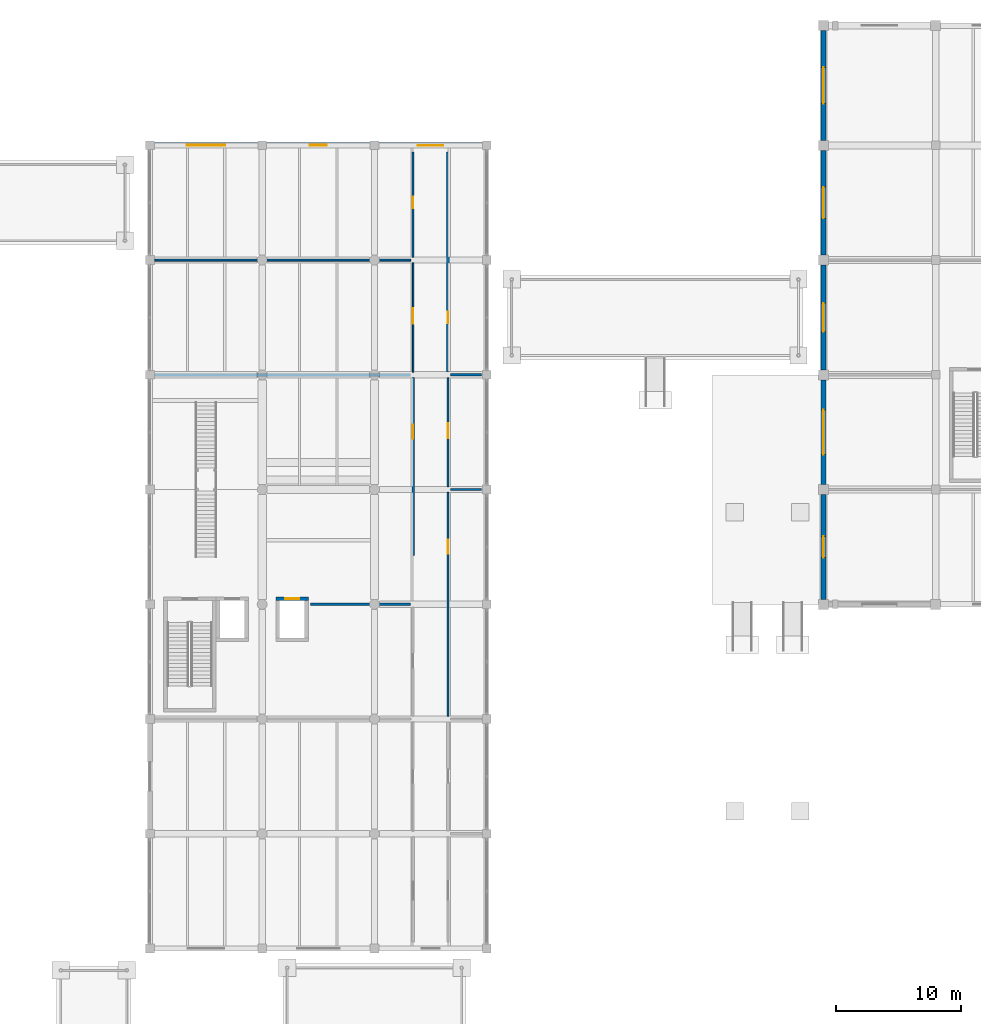
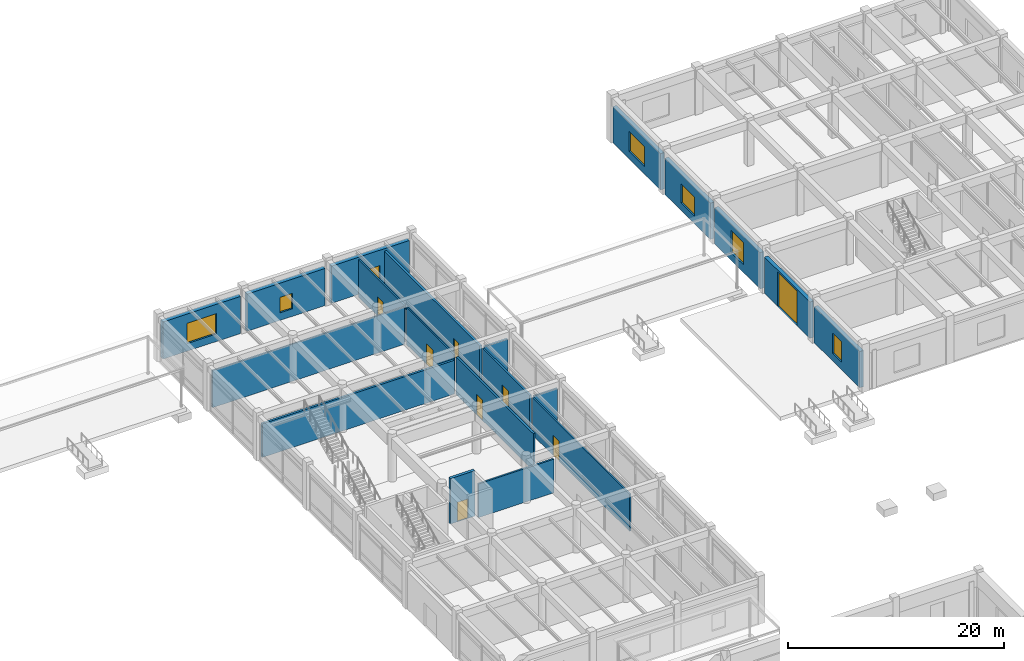
# One storey, part 60 of 76: 20 walls, 9 doors, 6 windows, 15 openings.
"""IFC4 building model written with IfcOpenShell, lengths in metres."""

from ifc_helpers import new_model, si_unit, direction, frame, frame_2d, origin, place, context, subcontext, project, spatial, rectangle, extrude, material, layer, layer_set, type_object, element, fill, save


model = new_model("IFC4")

# Units and contexts
model_context = context("Model", 3, precision=1e-05, world=origin(), true_north=direction((0.0, 1.0)))
body_context = subcontext(model_context, "Body", "Model", "MODEL_VIEW")
ifc_project = project(units=[si_unit("LENGTHUNIT", "METRE"), si_unit("AREAUNIT", "SQUARE_METRE"), si_unit("VOLUMEUNIT", "CUBIC_METRE"), si_unit("PLANEANGLEUNIT", "RADIAN"), si_unit("MASSUNIT", "GRAM", prefix="KILO")], contexts=[model_context])

# Site, building, storey
site_placement = place(None, origin())
site = spatial("IfcSite", under=ifc_project, at=site_placement, CompositionType="ELEMENT")
building_placement = place(site_placement, origin())
building = spatial("IfcBuilding", under=site, at=building_placement, Name="Bozkorgan Art Gallery", CompositionType="ELEMENT")
storey_placement = place(building_placement, origin())
storey = spatial("IfcBuildingStorey", under=building, at=storey_placement, Name="L00", CompositionType="ELEMENT", Elevation=0.0)

# Wall, opening, door
ifc_material_1 = material(Name="Concrete C40/50", Category="concrete")
ifc_layer_1 = layer(ifc_material_1, 0.300048828125, Name="Concrete C40/50")
ifc_layer_set_1 = layer_set([ifc_layer_1], Name="Concrete C40/50")
wall_type_1 = type_object("IfcWallType", Name="IWALL-CW-44", PredefinedType="SHEAR", material=ifc_layer_set_1)
wall_1_placement = place(storey_placement, frame((84.10009765625, 66.449951171875, 0.0), z_axis=(0.0, 0.0, 1.0), x_axis=(1.0, 0.0, 0.0)))
wall_1 = element("IfcWall", 1, at=wall_1_placement, inside=storey, type_object=wall_type_1, Name="PL3 L00 shaft front shear wall", PredefinedType="SHEAR", context=body_context, shape_type="SweptSolid", body=[
    extrude(rectangle(XDim=2.599853515625, YDim=0.300048828125, at=frame_2d((1.2998046875, 0.0))), origin(), (0.0, 0.0, 1.0), 5.1201171875),
])
opening_1_placement = place(wall_1_placement, frame((0.75, 0.0, 0.0)))
opening_1 = element("IfcOpeningElement", 2, at=opening_1_placement, cuts=wall_1, Name="Opening LD-75", PredefinedType="OPENING", context=body_context, shape_type="SweptSolid", body=[
    extrude(rectangle(XDim=1.10009765625, YDim=2.199951171875, at=frame_2d((0.550048828125, 1.10009765625))), frame((0.0, 0.16015625, 0.0), z_axis=(0.0, -1.0, 0.0), x_axis=(1.0, 0.0, 0.0)), (0.0, 0.0, 1.0), 0.320068359375),
])
ifc_material_2 = material(Name="Steel S355J2", Category="steel")
door_type_1 = type_object("IfcDoorType", Name="IDOOR-LD-75", OperationType="NOTDEFINED", PredefinedType="DOOR", material=ifc_material_2)
door_1_placement = place(opening_1_placement, origin())
door_1 = element("IfcDoor", 3, at=door_1_placement, inside=storey, type_object=door_type_1, Name="LD-PL3-L00 Lift Landing Door", OperationType="SLIDING_TO_RIGHT", OverallHeight=2.199951171875, OverallWidth=1.10009765625, PredefinedType="DOOR", context=body_context, shape_type="SweptSolid", body=[
    extrude(rectangle(XDim=1.10009765625, YDim=2.199951171875, at=frame_2d((0.550048828125, 1.10009765625))), frame((0.0, 0.02490234375, 0.0), z_axis=(0.0, -1.0, 0.0), x_axis=(1.0, 0.0, 0.0)), (0.0, 0.0, 1.0), 0.050048828125),
])
fill(opening_1, door_1)

ifc_material_3 = material(Name="Acoustic Gypsum & Mineral Wool Partition")
ifc_layer_2 = layer(ifc_material_3, 0.22998046875, Name="Acoustic Gypsum & Mineral Wool Partition")
ifc_layer_set_2 = layer_set([ifc_layer_2], Name="Acoustic Gypsum & Mineral Wool Partition")
wall_type_2 = type_object("IfcWallType", Name="IWALL-PR-08", PredefinedType="PARTITIONING", material=ifc_layer_set_2)
wall_2_placement = place(storey_placement, frame((97.89990234375, 84.6201171875, 0.0), z_axis=(0.0, 0.0, 1.0), x_axis=(0.0, 1.0, 0.0)))
wall_2 = element("IfcWall", 4, at=wall_2_placement, inside=storey, type_object=wall_type_2, Name="V4 L00 acoustic partition wall 209", PredefinedType="PARTITIONING", context=body_context, shape_type="SweptSolid", body=[
    extrude(rectangle(XDim=17.639892578125, YDim=0.22998046875, at=frame_2d((8.81982421875, 0.0))), origin(), (0.0, 0.0, 1.0), 4.195068359375),
])
opening_2_placement = place(wall_2_placement, frame((3.908935546875, 0.0, 0.0)))
opening_2 = element("IfcOpeningElement", 5, at=opening_2_placement, cuts=wall_2, Name="Opening FD-12", PredefinedType="OPENING", context=body_context, shape_type="SweptSolid", body=[
    extrude(rectangle(XDim=0.919921875, YDim=2.1201171875, at=frame_2d((0.4599609375, 1.06005859375))), frame((0.0, 0.125, 0.0), z_axis=(0.0, -1.0, 0.0), x_axis=(1.0, 0.0, 0.0)), (0.0, 0.0, 1.0), 0.25),
])
ifc_material_4 = material(Name="Oiled European Oak Joinery")
door_type_2 = type_object("IfcDoorType", Name="IDOOR-FD-12", OperationType="NOTDEFINED", PredefinedType="DOOR", material=ifc_material_4)
door_2_placement = place(opening_2_placement, origin())
door_2 = element("IfcDoor", 6, at=door_2_placement, inside=storey, type_object=door_type_2, Name="Security Operations Room Door", OperationType="SINGLE_SWING_LEFT", OverallHeight=2.1201171875, OverallWidth=0.919921875, PredefinedType="DOOR", context=body_context, shape_type="SweptSolid", body=[
    extrude(rectangle(XDim=0.919921875, YDim=2.1201171875, at=frame_2d((0.4599609375, 1.06005859375))), frame((0.0, 0.02490234375, 0.0), z_axis=(0.0, -1.0, 0.0), x_axis=(1.0, 0.0, 0.0)), (0.0, 0.0, 1.0), 0.050048828125),
])
fill(opening_2, door_2)

ifc_layer_3 = layer(ifc_material_3, 0.2099609375, Name="Acoustic Gypsum & Mineral Wool Partition")
ifc_layer_set_3 = layer_set([ifc_layer_3], Name="Acoustic Gypsum & Mineral Wool Partition")
wall_type_3 = type_object("IfcWallType", Name="IWALL-PR-38", PredefinedType="PARTITIONING", material=ifc_layer_set_3)
wall_3_placement = place(storey_placement, frame((95.10009765625, 69.89990234375, 0.0), z_axis=(0.0, 0.0, 1.0), x_axis=(0.0, 1.0, 0.0)))
wall_3 = element("IfcWall", 7, at=wall_3_placement, inside=storey, type_object=wall_type_3, Name="V4 L00 acoustic partition wall 196", PredefinedType="PARTITIONING", context=body_context, shape_type="SweptSolid", body=[
    extrude(rectangle(XDim=14.280029296875, YDim=0.2099609375, at=frame_2d((7.14013671875, 0.0))), origin(), (0.0, 0.0, 1.0), 4.195068359375),
])
opening_3_placement = place(wall_3_placement, frame((10.51708984375, 0.0, 0.0), z_axis=(0.0, 0.0, 1.0), x_axis=(-1.0, 0.0, 0.0)))
opening_3 = element("IfcOpeningElement", 8, at=opening_3_placement, cuts=wall_3, Name="Opening FD-03", PredefinedType="OPENING", context=body_context, shape_type="SweptSolid", body=[
    extrude(rectangle(XDim=1.159912109375, YDim=2.280029296875, at=frame_2d((0.580078125, 1.14013671875))), frame((0.0, 0.114990234375, 0.0), z_axis=(0.0, -1.0, 0.0), x_axis=(1.0, 0.0, 0.0)), (0.0, 0.0, 1.0), 0.22998046875),
])
door_type_3 = type_object("IfcDoorType", Name="IDOOR-FD-03", OperationType="NOTDEFINED", PredefinedType="DOOR", material=ifc_material_4)
door_3_placement = place(opening_3_placement, origin())
door_3 = element("IfcDoor", 9, at=door_3_placement, inside=storey, type_object=door_type_3, Name="Membership Desk Salon Door", OperationType="SINGLE_SWING_RIGHT", OverallHeight=2.280029296875, OverallWidth=1.159912109375, PredefinedType="DOOR", context=body_context, shape_type="SweptSolid", body=[
    extrude(rectangle(XDim=1.159912109375, YDim=2.280029296875, at=frame_2d((0.580078125, 1.14013671875))), frame((0.0, 0.02490234375, 0.0), z_axis=(0.0, -1.0, 0.0), x_axis=(1.0, 0.0, 0.0)), (0.0, 0.0, 1.0), 0.050048828125),
])
fill(opening_3, door_3)

ifc_layer_4 = layer(ifc_material_3, 0.169921875, Name="Acoustic Gypsum & Mineral Wool Partition")
ifc_layer_set_4 = layer_set([ifc_layer_4], Name="Acoustic Gypsum & Mineral Wool Partition")
wall_type_4 = type_object("IfcWallType", Name="IWALL-PR-40", PredefinedType="PARTITIONING", material=ifc_layer_set_4)
wall_4_placement = place(storey_placement, frame((95.10009765625, 93.820068359375, 0.0), z_axis=(0.0, 0.0, 1.0), x_axis=(0.0, 1.0, 0.0)))
wall_4 = element("IfcWall", 10, at=wall_4_placement, inside=storey, type_object=wall_type_4, Name="V4 L00 acoustic partition wall 200", PredefinedType="PARTITIONING", context=body_context, shape_type="SweptSolid", body=[
    extrude(rectangle(XDim=8.43994140625, YDim=0.169921875, at=frame_2d((4.219970703125, 0.0))), origin(), (0.0, 0.0, 1.0), 4.195068359375),
])
opening_4_placement = place(wall_4_placement, frame((4.87109375, 0.0, 0.0), z_axis=(0.0, 0.0, 1.0), x_axis=(-1.0, 0.0, 0.0)))
opening_4 = element("IfcOpeningElement", 11, at=opening_4_placement, cuts=wall_4, Name="Opening FD-92", PredefinedType="OPENING", context=body_context, shape_type="SweptSolid", body=[
    extrude(rectangle(XDim=0.949951171875, YDim=2.14990234375, at=frame_2d((0.47509765625, 1.074951171875))), frame((0.0, 0.094970703125, 0.0), z_axis=(0.0, -1.0, 0.0), x_axis=(1.0, 0.0, 0.0)), (0.0, 0.0, 1.0), 0.18994140625),
])
door_type_4 = type_object("IfcDoorType", Name="IDOOR-FD-92", OperationType="NOTDEFINED", PredefinedType="DOOR", material=ifc_material_4)
door_4_placement = place(opening_4_placement, origin())
door_4 = element("IfcDoor", 12, at=door_4_placement, inside=storey, type_object=door_type_4, Name="Collection Archive Room Door", OperationType="SINGLE_SWING_RIGHT", OverallHeight=2.14990234375, OverallWidth=0.949951171875, PredefinedType="DOOR", context=body_context, shape_type="SweptSolid", body=[
    extrude(rectangle(XDim=0.949951171875, YDim=2.14990234375, at=frame_2d((0.47509765625, 1.074951171875))), frame((0.0, 0.02490234375, 0.0), z_axis=(0.0, -1.0, 0.0), x_axis=(1.0, 0.0, 0.0)), (0.0, 0.0, 1.0), 0.050048828125),
])
fill(opening_4, door_4)

ifc_layer_5 = layer(ifc_material_3, 0.14990234375, Name="Acoustic Gypsum & Mineral Wool Partition")
ifc_layer_set_5 = layer_set([ifc_layer_5], Name="Acoustic Gypsum & Mineral Wool Partition")
wall_type_5 = type_object("IfcWallType", Name="IWALL-PR-55", PredefinedType="PARTITIONING", material=ifc_layer_set_5)
wall_5_placement = place(storey_placement, frame((97.89990234375, 57.02001953125, 0.0), z_axis=(0.0, 0.0, 1.0), x_axis=(0.0, 1.0, 0.0)))
wall_5 = element("IfcWall", 13, at=wall_5_placement, inside=storey, type_object=wall_type_5, Name="V4 L00 acoustic partition wall 205", PredefinedType="PARTITIONING", context=body_context, shape_type="SweptSolid", body=[
    extrude(rectangle(XDim=17.9599609375, YDim=0.14990234375, at=frame_2d((8.97998046875, 0.0))), origin(), (0.0, 0.0, 1.0), 4.195068359375),
])
opening_5_placement = place(wall_5_placement, frame((13.0244140625, 0.0, 0.0)))
opening_5 = element("IfcOpeningElement", 14, at=opening_5_placement, cuts=wall_5, Name="Opening FD-89", PredefinedType="OPENING", context=body_context, shape_type="SweptSolid", body=[
    extrude(rectangle(XDim=1.1201171875, YDim=2.260009765625, at=frame_2d((0.56005859375, 1.1298828125))), frame((0.0, 0.0849609375, 0.0), z_axis=(0.0, -1.0, 0.0), x_axis=(1.0, 0.0, 0.0)), (0.0, 0.0, 1.0), 0.169921875),
])
door_type_5 = type_object("IfcDoorType", Name="IDOOR-FD-89", OperationType="NOTDEFINED", PredefinedType="DOOR", material=ifc_material_4)
door_5_placement = place(opening_5_placement, origin())
door_5 = element("IfcDoor", 15, at=door_5_placement, inside=storey, type_object=door_type_5, Name="Public Sculpture Court Indoor Door", OperationType="SINGLE_SWING_LEFT", OverallHeight=2.260009765625, OverallWidth=1.1201171875, PredefinedType="DOOR", context=body_context, shape_type="SweptSolid", body=[
    extrude(rectangle(XDim=1.1201171875, YDim=2.260009765625, at=frame_2d((0.56005859375, 1.1298828125))), frame((0.0, 0.02490234375, 0.0), z_axis=(0.0, -1.0, 0.0), x_axis=(1.0, 0.0, 0.0)), (0.0, 0.0, 1.0), 0.050048828125),
])
fill(opening_5, door_5)

ifc_layer_6 = layer(ifc_material_3, 0.18994140625, Name="Acoustic Gypsum & Mineral Wool Partition")
ifc_layer_set_6 = layer_set([ifc_layer_6], Name="Acoustic Gypsum & Mineral Wool Partition")
wall_type_6 = type_object("IfcWallType", Name="IWALL-PR-66", PredefinedType="PARTITIONING", material=ifc_layer_set_6)
wall_6_placement = place(storey_placement, frame((97.89990234375, 75.419921875, 0.0), z_axis=(0.0, 0.0, 1.0), x_axis=(0.0, 1.0, 0.0)))
wall_6 = element("IfcWall", 16, at=wall_6_placement, inside=storey, type_object=wall_type_6, Name="V4 L00 acoustic partition wall 207", PredefinedType="PARTITIONING", context=body_context, shape_type="SweptSolid", body=[
    extrude(rectangle(XDim=8.760009765625, YDim=0.18994140625, at=frame_2d((4.3798828125, 0.0))), origin(), (0.0, 0.0, 1.0), 4.195068359375),
])
opening_6_placement = place(wall_6_placement, frame((3.8798828125, 0.0, 0.0)))
opening_6 = element("IfcOpeningElement", 17, at=opening_6_placement, cuts=wall_6, Name="Opening FD-05", PredefinedType="OPENING", context=body_context, shape_type="SweptSolid", body=[
    extrude(rectangle(XDim=1.199951171875, YDim=2.300048828125, at=frame_2d((0.60009765625, 1.14990234375))), frame((0.0, 0.10498046875, 0.0), z_axis=(0.0, -1.0, 0.0), x_axis=(1.0, 0.0, 0.0)), (0.0, 0.0, 1.0), 0.2099609375),
])
door_type_6 = type_object("IfcDoorType", Name="IDOOR-FD-05", OperationType="NOTDEFINED", PredefinedType="DOOR", material=ifc_material_4)
door_6_placement = place(opening_6_placement, origin())
door_6 = element("IfcDoor", 18, at=door_6_placement, inside=storey, type_object=door_type_6, Name="Membership Desk Salon Door", OperationType="SINGLE_SWING_RIGHT", OverallHeight=2.300048828125, OverallWidth=1.199951171875, PredefinedType="DOOR", context=body_context, shape_type="SweptSolid", body=[
    extrude(rectangle(XDim=1.199951171875, YDim=2.300048828125, at=frame_2d((0.60009765625, 1.14990234375))), frame((0.0, 0.02490234375, 0.0), z_axis=(0.0, -1.0, 0.0), x_axis=(1.0, 0.0, 0.0)), (0.0, 0.0, 1.0), 0.050048828125),
])
fill(opening_6, door_6)

ifc_layer_7 = layer(ifc_material_3, 0.1298828125, Name="Acoustic Gypsum & Mineral Wool Partition")
ifc_layer_set_7 = layer_set([ifc_layer_7], Name="Acoustic Gypsum & Mineral Wool Partition")
wall_type_7 = type_object("IfcWallType", Name="IWALL-PR-76", PredefinedType="PARTITIONING", material=ifc_layer_set_7)
wall_7_placement = place(storey_placement, frame((95.10009765625, 84.6201171875, 0.0), z_axis=(0.0, 0.0, 1.0), x_axis=(0.0, 1.0, 0.0)))
wall_7 = element("IfcWall", 19, at=wall_7_placement, inside=storey, type_object=wall_type_7, Name="V4 L00 acoustic partition wall 198", PredefinedType="PARTITIONING", context=body_context, shape_type="SweptSolid", body=[
    extrude(rectangle(XDim=8.759765625, YDim=0.1298828125, at=frame_2d((4.3798828125, 0.0))), origin(), (0.0, 0.0, 1.0), 4.195068359375),
])
opening_7_placement = place(wall_7_placement, frame((5.119873046875, 0.0, 0.0), z_axis=(0.0, 0.0, 1.0), x_axis=(-1.0, 0.0, 0.0)))
opening_7 = element("IfcOpeningElement", 20, at=opening_7_placement, cuts=wall_7, Name="Opening FD-40", PredefinedType="OPENING", context=body_context, shape_type="SweptSolid", body=[
    extrude(rectangle(XDim=1.239990234375, YDim=2.320068359375, at=frame_2d((0.6201171875, 1.16015625))), frame((0.0, 0.074951171875, 0.0), z_axis=(0.0, -1.0, 0.0), x_axis=(1.0, 0.0, 0.0)), (0.0, 0.0, 1.0), 0.14990234375),
])
door_type_7 = type_object("IfcDoorType", Name="IDOOR-FD-40", OperationType="NOTDEFINED", PredefinedType="DOOR", material=ifc_material_4)
door_7_placement = place(opening_7_placement, origin())
door_7 = element("IfcDoor", 21, at=door_7_placement, inside=storey, type_object=door_type_7, Name="Security Operations Room Door", OperationType="SINGLE_SWING_LEFT", OverallHeight=2.320068359375, OverallWidth=1.239990234375, PredefinedType="DOOR", context=body_context, shape_type="SweptSolid", body=[
    extrude(rectangle(XDim=1.239990234375, YDim=2.320068359375, at=frame_2d((0.6201171875, 1.16015625))), frame((0.0, 0.02490234375, 0.0), z_axis=(0.0, -1.0, 0.0), x_axis=(1.0, 0.0, 0.0)), (0.0, 0.0, 1.0), 0.050048828125),
])
fill(opening_7, door_7)

# Walls
ifc_layer_8 = layer(ifc_material_3, 0.169921875, Name="Acoustic Gypsum & Mineral Wool Partition")
ifc_layer_set_8 = layer_set([ifc_layer_8], Name="Acoustic Gypsum & Mineral Wool Partition")
wall_type_8 = type_object("IfcWallType", Name="IWALL-PW-02", PredefinedType="PARTITIONING", material=ifc_layer_set_8)
wall_8_placement = place(storey_placement, frame((98.10009765625, 75.199951171875, 0.0), z_axis=(0.0, 0.0, 1.0), x_axis=(1.0, 0.0, 0.0)))
element("IfcWall", 22, at=wall_8_placement, inside=storey, type_object=wall_type_8, Name="V4 L00 acoustic partition wall 206", PredefinedType="PARTITIONING", context=body_context, shape_type="SweptSolid", body=[
    extrude(rectangle(XDim=2.5, YDim=0.169921875, at=frame_2d((1.25, 0.0))), origin(), (0.0, 0.0, 1.0), 4.195068359375),
])
ifc_layer_9 = layer(ifc_material_3, 0.14990234375, Name="Acoustic Gypsum & Mineral Wool Partition")
ifc_layer_set_9 = layer_set([ifc_layer_9], Name="Acoustic Gypsum & Mineral Wool Partition")
wall_type_9 = type_object("IfcWallType", Name="IWALL-PW-17", PredefinedType="PARTITIONING", material=ifc_layer_set_9)
wall_9_placement = place(storey_placement, frame((74.39990234375, 93.60009765625, 0.0), z_axis=(0.0, 0.0, 1.0), x_axis=(1.0, 0.0, 0.0)))
element("IfcWall", 23, at=wall_9_placement, inside=storey, type_object=wall_type_9, Name="V4 L00 acoustic partition wall 199", PredefinedType="PARTITIONING", context=body_context, shape_type="SweptSolid", body=[
    extrude(rectangle(XDim=20.5, YDim=0.14990234375, at=frame_2d((10.25, 0.0))), origin(), (0.0, 0.0, 1.0), 4.195068359375),
])
ifc_layer_10 = layer(ifc_material_3, 0.18994140625, Name="Acoustic Gypsum & Mineral Wool Partition")
ifc_layer_set_10 = layer_set([ifc_layer_10], Name="Acoustic Gypsum & Mineral Wool Partition")
wall_type_10 = type_object("IfcWallType", Name="IWALL-PW-23", PredefinedType="PARTITIONING", material=ifc_layer_set_10)
wall_10_placement = place(storey_placement, frame((86.860107421875, 66.0, 0.0), z_axis=(0.0, 0.0, 1.0), x_axis=(1.0, 0.0, 0.0)))
element("IfcWall", 24, at=wall_10_placement, inside=storey, type_object=wall_type_10, Name="V4 L00 acoustic partition wall 195", PredefinedType="PARTITIONING", context=body_context, shape_type="SweptSolid", body=[
    extrude(rectangle(XDim=8.039794921875, YDim=0.18994140625, at=frame_2d((4.02001953125, 0.0))), origin(), (0.0, 0.0, 1.0), 3.794921875),
])
ifc_layer_11 = layer(ifc_material_3, 0.2099609375, Name="Acoustic Gypsum & Mineral Wool Partition")
ifc_layer_set_11 = layer_set([ifc_layer_11], Name="Acoustic Gypsum & Mineral Wool Partition")
wall_type_11 = type_object("IfcWallType", Name="IWALL-PW-72", PredefinedType="PARTITIONING", material=ifc_layer_set_11)
wall_11_placement = place(storey_placement, frame((98.10009765625, 84.39990234375, 0.0), z_axis=(0.0, 0.0, 1.0), x_axis=(1.0, 0.0, 0.0)))
element("IfcWall", 25, at=wall_11_placement, inside=storey, type_object=wall_type_11, Name="V4 L00 acoustic partition wall 208", PredefinedType="PARTITIONING", context=body_context, shape_type="SweptSolid", body=[
    extrude(rectangle(XDim=2.5, YDim=0.2099609375, at=frame_2d((1.25, 0.0))), origin(), (0.0, 0.0, 1.0), 4.195068359375),
])
ifc_layer_12 = layer(ifc_material_3, 0.22998046875, Name="Acoustic Gypsum & Mineral Wool Partition")
ifc_layer_set_12 = layer_set([ifc_layer_12], Name="Acoustic Gypsum & Mineral Wool Partition")
wall_type_12 = type_object("IfcWallType", Name="IWALL-PW-96", PredefinedType="PARTITIONING", material=ifc_layer_set_12)
wall_12_placement = place(storey_placement, frame((74.39990234375, 84.39990234375, 0.0), z_axis=(0.0, 0.0, 1.0), x_axis=(1.0, 0.0, 0.0)))
element("IfcWall", 26, at=wall_12_placement, inside=storey, type_object=wall_type_12, Name="V4 L00 acoustic partition wall 197", PredefinedType="PARTITIONING", context=body_context, shape_type="SweptSolid", body=[
    extrude(rectangle(XDim=20.5, YDim=0.22998046875, at=frame_2d((10.25, 0.0))), origin(), (0.0, 0.0, 1.0), 3.794921875),
])

# Wall, opening, door
ifc_material_5 = material(Name="Kordai Rose Granite Ashlar", Category="masonry")
ifc_layer_13 = layer(ifc_material_5, 0.419921875, Name="Kordai Rose Granite Ashlar")
ifc_layer_set_13 = layer_set([ifc_layer_13], Name="Kordai Rose Granite Ashlar")
wall_type_13 = type_object("IfcWallType", Name="WALL-EW-45", PredefinedType="STANDARD", material=ifc_layer_set_13)
wall_13_placement = place(storey_placement, frame((92.35009765625, 102.800048828125, 0.0), z_axis=(0.0, 0.0, 1.0), x_axis=(1.0, 0.0, 0.0)))
wall_13 = element("IfcWall", 27, at=wall_13_placement, inside=storey, type_object=wall_type_13, Name="V4 L00 entrance portal wall (ED15)", PredefinedType="STANDARD", context=body_context, shape_type="SweptSolid", body=[
    extrude(rectangle(XDim=8.2998046875, YDim=0.419921875, at=frame_2d((4.14990234375, 0.0))), origin(), (0.0, 0.0, 1.0), 4.195068359375),
])
opening_8_placement = place(wall_13_placement, frame((3.125, 0.0, 0.0)))
opening_8 = element("IfcOpeningElement", 28, at=opening_8_placement, cuts=wall_13, Name="Opening ED-19", PredefinedType="OPENING", context=body_context, shape_type="SweptSolid", body=[
    extrude(rectangle(XDim=2.050048828125, YDim=2.449951171875, at=frame_2d((1.02490234375, 1.22509765625))), frame((0.0, 0.219970703125, 0.0), z_axis=(0.0, -1.0, 0.0), x_axis=(1.0, 0.0, 0.0)), (0.0, 0.0, 1.0), 0.43994140625),
])
ifc_material_6 = material(Name="Anodised Bronze Aluminium", Category="aluminium")
door_type_8 = type_object("IfcDoorType", Name="DOOR-ED-19", OperationType="NOTDEFINED", PredefinedType="DOOR", material=ifc_material_6)
door_8_placement = place(opening_8_placement, origin())
door_8 = element("IfcDoor", 29, at=door_8_placement, inside=storey, type_object=door_type_8, Name="ED15 Final Exit Portal Door", OperationType="DOUBLE_DOOR_SINGLE_SWING", OverallHeight=2.449951171875, OverallWidth=2.050048828125, PredefinedType="DOOR", context=body_context, shape_type="SweptSolid", body=[
    extrude(rectangle(XDim=2.050048828125, YDim=2.449951171875, at=frame_2d((1.02490234375, 1.22509765625))), frame((0.0, 0.02490234375, 0.0), z_axis=(0.0, -1.0, 0.0), x_axis=(1.0, 0.0, 0.0)), (0.0, 0.0, 1.0), 0.050048828125),
])
fill(opening_8, door_8)

# Wall, opening, window
ifc_layer_14 = layer(ifc_material_5, 0.419921875, Name="Kordai Rose Granite Ashlar")
ifc_layer_set_14 = layer_set([ifc_layer_14], Name="Kordai Rose Granite Ashlar")
wall_type_14 = type_object("IfcWallType", Name="WALL-WG-54", PredefinedType="STANDARD", material=ifc_layer_set_14)
wall_14_placement = place(storey_placement, frame((74.35009765625, 102.800048828125, 0.0), z_axis=(0.0, 0.0, 1.0), x_axis=(1.0, 0.0, 0.0)))
wall_14 = element("IfcWall", 30, at=wall_14_placement, inside=storey, type_object=wall_type_14, Name="V4 L00 exterior facade wall 1N-2", PredefinedType="STANDARD", context=body_context, shape_type="SweptSolid", body=[
    extrude(rectangle(XDim=8.2998046875, YDim=0.419921875, at=frame_2d((4.14990234375, 0.0))), origin(), (0.0, 0.0, 1.0), 4.195068359375),
])
opening_9_placement = place(wall_14_placement, frame((2.60009765625, 0.0, 0.85009765625)))
opening_9 = element("IfcOpeningElement", 31, at=opening_9_placement, cuts=wall_14, Name="Opening WN-71", PredefinedType="OPENING", context=body_context, shape_type="SweptSolid", body=[
    extrude(rectangle(XDim=3.10009765625, YDim=2.300048828125, at=frame_2d((1.550048828125, 1.14990234375))), frame((0.0, 0.219970703125, 0.0), z_axis=(0.0, -1.0, 0.0), x_axis=(1.0, 0.0, 0.0)), (0.0, 0.0, 1.0), 0.43994140625),
])
ifc_material_7 = material(Name="Triple Low-E Laminated Glass", Category="glass")
window_type_1 = type_object("IfcWindowType", Name="WIN-WN-71", PartitioningType="SINGLE_PANEL", PredefinedType="WINDOW", material=ifc_material_7)
window_1_placement = place(opening_9_placement, origin())
window_1 = element("IfcWindow", 32, at=window_1_placement, inside=storey, type_object=window_type_1, Name="V4 L00 gallery window 1N-2", OverallHeight=2.300048828125, OverallWidth=3.10009765625, PartitioningType="SINGLE_PANEL", PredefinedType="WINDOW", context=body_context, shape_type="SweptSolid", body=[
    extrude(rectangle(XDim=3.10009765625, YDim=2.300048828125, at=frame_2d((1.550048828125, 1.14990234375))), frame((0.0, 0.030029296875, 0.0), z_axis=(0.0, -1.0, 0.0), x_axis=(1.0, 0.0, 0.0)), (0.0, 0.0, 1.0), 0.06005859375),
])
fill(opening_9, window_1)

wall_15_placement = place(storey_placement, frame((83.35009765625, 102.800048828125, 0.0), z_axis=(0.0, 0.0, 1.0), x_axis=(1.0, 0.0, 0.0)))
wall_15 = element("IfcWall", 33, at=wall_15_placement, inside=storey, type_object=wall_type_14, Name="V4 L00 exterior facade wall 1N-4", PredefinedType="STANDARD", context=body_context, shape_type="SweptSolid", body=[
    extrude(rectangle(XDim=8.2998046875, YDim=0.419921875, at=frame_2d((4.14990234375, 0.0))), origin(), (0.0, 0.0, 1.0), 4.195068359375),
])
opening_10_placement = place(wall_15_placement, frame((3.47509765625, 0.0, 0.85009765625)))
opening_10 = element("IfcOpeningElement", 34, at=opening_10_placement, cuts=wall_15, Name="Opening WN-63", PredefinedType="OPENING", context=body_context, shape_type="SweptSolid", body=[
    extrude(rectangle(XDim=1.35009765625, YDim=1.75, at=frame_2d((0.675048828125, 0.875))), frame((0.0, 0.219970703125, 0.0), z_axis=(0.0, -1.0, 0.0), x_axis=(1.0, 0.0, 0.0)), (0.0, 0.0, 1.0), 0.43994140625),
])
window_type_2 = type_object("IfcWindowType", Name="WIN-WN-63", PartitioningType="SINGLE_PANEL", PredefinedType="WINDOW", material=ifc_material_7)
window_2_placement = place(opening_10_placement, origin())
window_2 = element("IfcWindow", 35, at=window_2_placement, inside=storey, type_object=window_type_2, Name="V4 L00 gallery window 1N-4", OverallHeight=1.75, OverallWidth=1.35009765625, PartitioningType="SINGLE_PANEL", PredefinedType="WINDOW", context=body_context, shape_type="SweptSolid", body=[
    extrude(rectangle(XDim=1.35009765625, YDim=1.75, at=frame_2d((0.675048828125, 0.875))), frame((0.0, 0.030029296875, 0.0), z_axis=(0.0, -1.0, 0.0), x_axis=(1.0, 0.0, 0.0)), (0.0, 0.0, 1.0), 0.06005859375),
])
fill(opening_10, window_2)

ifc_layer_15 = layer(ifc_material_5, 0.39990234375, Name="Kordai Rose Granite Ashlar")
ifc_layer_set_15 = layer_set([ifc_layer_15], Name="Kordai Rose Granite Ashlar")
wall_type_15 = type_object("IfcWallType", Name="WALL-WG-66", PredefinedType="STANDARD", material=ifc_layer_set_15)
wall_16_placement = place(storey_placement, frame((128.0, 66.39990234375, 0.0), z_axis=(0.0, 0.0, 1.0), x_axis=(0.0, 1.0, 0.0)))
wall_16 = element("IfcWall", 36, at=wall_16_placement, inside=storey, type_object=wall_type_15, Name="V5 L00 exterior facade wall 1W-9", PredefinedType="STANDARD", context=body_context, shape_type="SweptSolid", body=[
    extrude(rectangle(XDim=8.400146484375, YDim=0.39990234375, at=frame_2d((4.2001953125, 0.0))), origin(), (0.0, 0.0, 1.0), 4.094970703125),
])
opening_11_placement = place(wall_16_placement, frame((3.35009765625, 0.0, 0.85009765625)))
opening_11 = element("IfcOpeningElement", 37, at=opening_11_placement, cuts=wall_16, Name="Opening WN-58", PredefinedType="OPENING", context=body_context, shape_type="SweptSolid", body=[
    extrude(rectangle(XDim=1.699951171875, YDim=2.300048828125, at=frame_2d((0.85009765625, 1.14990234375))), frame((0.0, 0.2099609375, 0.0), z_axis=(0.0, -1.0, 0.0), x_axis=(1.0, 0.0, 0.0)), (0.0, 0.0, 1.0), 0.419921875),
])
window_type_3 = type_object("IfcWindowType", Name="WIN-WN-58", PartitioningType="SINGLE_PANEL", PredefinedType="WINDOW", material=ifc_material_7)
window_3_placement = place(opening_11_placement, origin())
window_3 = element("IfcWindow", 38, at=window_3_placement, inside=storey, type_object=window_type_3, Name="V5 L00 gallery window 1W-9", OverallHeight=2.300048828125, OverallWidth=1.699951171875, PartitioningType="SINGLE_PANEL", PredefinedType="WINDOW", context=body_context, shape_type="SweptSolid", body=[
    extrude(rectangle(XDim=1.699951171875, YDim=2.300048828125, at=frame_2d((0.85009765625, 1.14990234375))), frame((0.0, 0.030029296875, 0.0), z_axis=(0.0, -1.0, 0.0), x_axis=(1.0, 0.0, 0.0)), (0.0, 0.0, 1.0), 0.06005859375),
])
fill(opening_11, window_3)

# Wall, opening, door
wall_17_placement = place(storey_placement, frame((128.0, 75.60009765625, 0.0), z_axis=(0.0, 0.0, 1.0), x_axis=(0.0, 1.0, 0.0)))
wall_17 = element("IfcWall", 39, at=wall_17_placement, inside=storey, type_object=wall_type_15, Name="V5 L00 loading dock exterior wall", PredefinedType="STANDARD", context=body_context, shape_type="SweptSolid", body=[
    extrude(rectangle(XDim=8.39990234375, YDim=0.39990234375, at=frame_2d((4.199951171875, 0.0))), origin(), (0.0, 0.0, 1.0), 4.094970703125),
])
opening_12_placement = place(wall_17_placement, frame((2.39990234375, 0.0, 0.0)))
opening_12 = element("IfcOpeningElement", 40, at=opening_12_placement, cuts=wall_17, Name="Opening VD-33", PredefinedType="OPENING", context=body_context, shape_type="SweptSolid", body=[
    extrude(rectangle(XDim=3.60009765625, YDim=3.909912109375, at=frame_2d((1.800048828125, 1.955078125))), frame((0.0, 0.2099609375, 0.0), z_axis=(0.0, -1.0, 0.0), x_axis=(1.0, 0.0, 0.0)), (0.0, 0.0, 1.0), 0.419921875),
])
door_type_9 = type_object("IfcDoorType", Name="DOOR-VD-33", OperationType="NOTDEFINED", PredefinedType="GATE", material=ifc_material_2)
door_9_placement = place(opening_12_placement, origin())
door_9 = element("IfcDoor", 41, at=door_9_placement, inside=storey, type_object=door_type_9, Name="VD01 Enclosed Art Loading Dock Shutter", OperationType="ROLLINGUP", OverallHeight=3.909912109375, OverallWidth=3.60009765625, PredefinedType="GATE", context=body_context, shape_type="SweptSolid", body=[
    extrude(rectangle(XDim=3.60009765625, YDim=3.909912109375, at=frame_2d((1.800048828125, 1.955078125))), frame((0.0, 0.02490234375, 0.0), z_axis=(0.0, -1.0, 0.0), x_axis=(1.0, 0.0, 0.0)), (0.0, 0.0, 1.0), 0.050048828125),
])
fill(opening_12, door_9)

# Wall, opening, window
wall_18_placement = place(storey_placement, frame((128.0, 84.800048828125, 0.0), z_axis=(0.0, 0.0, 1.0), x_axis=(0.0, 1.0, 0.0)))
wall_18 = element("IfcWall", 42, at=wall_18_placement, inside=storey, type_object=wall_type_15, Name="V5 L00 exterior facade wall 1W-13", PredefinedType="STANDARD", context=body_context, shape_type="SweptSolid", body=[
    extrude(rectangle(XDim=8.39990234375, YDim=0.39990234375, at=frame_2d((4.199951171875, 0.0))), origin(), (0.0, 0.0, 1.0), 4.094970703125),
])
opening_13_placement = place(wall_18_placement, frame((3.050048828125, 0.0, 0.85009765625)))
opening_13 = element("IfcOpeningElement", 43, at=opening_13_placement, cuts=wall_18, Name="Opening WN-48", PredefinedType="OPENING", context=body_context, shape_type="SweptSolid", body=[
    extrude(rectangle(XDim=2.300048828125, YDim=2.5, at=frame_2d((1.14990234375, 1.25))), frame((0.0, 0.2099609375, 0.0), z_axis=(0.0, -1.0, 0.0), x_axis=(1.0, 0.0, 0.0)), (0.0, 0.0, 1.0), 0.419921875),
])
window_type_4 = type_object("IfcWindowType", Name="WIN-WN-48", PartitioningType="SINGLE_PANEL", PredefinedType="WINDOW", material=ifc_material_7)
window_4_placement = place(opening_13_placement, origin())
window_4 = element("IfcWindow", 44, at=window_4_placement, inside=storey, type_object=window_type_4, Name="V5 L00 gallery window 1W-13", OverallHeight=2.5, OverallWidth=2.300048828125, PartitioningType="SINGLE_PANEL", PredefinedType="WINDOW", context=body_context, shape_type="SweptSolid", body=[
    extrude(rectangle(XDim=2.300048828125, YDim=2.5, at=frame_2d((1.14990234375, 1.25))), frame((0.0, 0.030029296875, 0.0), z_axis=(0.0, -1.0, 0.0), x_axis=(1.0, 0.0, 0.0)), (0.0, 0.0, 1.0), 0.06005859375),
])
fill(opening_13, window_4)

wall_19_placement = place(storey_placement, frame((128.0, 94.0, 0.0), z_axis=(0.0, 0.0, 1.0), x_axis=(0.0, 1.0, 0.0)))
wall_19 = element("IfcWall", 45, at=wall_19_placement, inside=storey, type_object=wall_type_15, Name="V5 L00 exterior facade wall 1W-15", PredefinedType="STANDARD", context=body_context, shape_type="SweptSolid", body=[
    extrude(rectangle(XDim=8.39990234375, YDim=0.39990234375, at=frame_2d((4.199951171875, 0.0))), origin(), (0.0, 0.0, 1.0), 4.094970703125),
])
opening_14_placement = place(wall_19_placement, frame((2.949951171875, 0.0, 0.85009765625)))
opening_14 = element("IfcOpeningElement", 46, at=opening_14_placement, cuts=wall_19, Name="Opening WN-55", PredefinedType="OPENING", context=body_context, shape_type="SweptSolid", body=[
    extrude(rectangle(XDim=2.5, YDim=2.14990234375, at=frame_2d((1.25, 1.074951171875))), frame((0.0, 0.2099609375, 0.0), z_axis=(0.0, -1.0, 0.0), x_axis=(1.0, 0.0, 0.0)), (0.0, 0.0, 1.0), 0.419921875),
])
window_type_5 = type_object("IfcWindowType", Name="WIN-WN-55", PartitioningType="SINGLE_PANEL", PredefinedType="WINDOW", material=ifc_material_7)
window_5_placement = place(opening_14_placement, origin())
window_5 = element("IfcWindow", 47, at=window_5_placement, inside=storey, type_object=window_type_5, Name="V5 L00 gallery window 1W-15", OverallHeight=2.14990234375, OverallWidth=2.5, PartitioningType="SINGLE_PANEL", PredefinedType="WINDOW", context=body_context, shape_type="SweptSolid", body=[
    extrude(rectangle(XDim=2.5, YDim=2.14990234375, at=frame_2d((1.25, 1.074951171875))), frame((0.0, 0.030029296875, 0.0), z_axis=(0.0, -1.0, 0.0), x_axis=(1.0, 0.0, 0.0)), (0.0, 0.0, 1.0), 0.06005859375),
])
fill(opening_14, window_5)

wall_20_placement = place(storey_placement, frame((128.0, 103.199951171875, 0.0), z_axis=(0.0, 0.0, 1.0), x_axis=(0.0, 1.0, 0.0)))
wall_20 = element("IfcWall", 48, at=wall_20_placement, inside=storey, type_object=wall_type_15, Name="V5 L00 exterior facade wall 1W-17", PredefinedType="STANDARD", context=body_context, shape_type="SweptSolid", body=[
    extrude(rectangle(XDim=8.800048828125, YDim=0.39990234375, at=frame_2d((4.39990234375, 0.0))), origin(), (0.0, 0.0, 1.0), 4.094970703125),
])
opening_15_placement = place(wall_20_placement, frame((2.949951171875, 0.0, 0.85009765625)))
opening_15 = element("IfcOpeningElement", 49, at=opening_15_placement, cuts=wall_20, Name="Opening WN-54", PredefinedType="OPENING", context=body_context, shape_type="SweptSolid", body=[
    extrude(rectangle(XDim=2.89990234375, YDim=2.25, at=frame_2d((1.449951171875, 1.125))), frame((0.0, 0.2099609375, 0.0), z_axis=(0.0, -1.0, 0.0), x_axis=(1.0, 0.0, 0.0)), (0.0, 0.0, 1.0), 0.419921875),
])
window_type_6 = type_object("IfcWindowType", Name="WIN-WN-54", PartitioningType="SINGLE_PANEL", PredefinedType="WINDOW", material=ifc_material_7)
window_6_placement = place(opening_15_placement, origin())
window_6 = element("IfcWindow", 50, at=window_6_placement, inside=storey, type_object=window_type_6, Name="V5 L00 gallery window 1W-17", OverallHeight=2.25, OverallWidth=2.89990234375, PartitioningType="SINGLE_PANEL", PredefinedType="WINDOW", context=body_context, shape_type="SweptSolid", body=[
    extrude(rectangle(XDim=2.89990234375, YDim=2.25, at=frame_2d((1.449951171875, 1.125))), frame((0.0, 0.030029296875, 0.0), z_axis=(0.0, -1.0, 0.0), x_axis=(1.0, 0.0, 0.0)), (0.0, 0.0, 1.0), 0.06005859375),
])
fill(opening_15, window_6)

save(model, "model.ifc")
